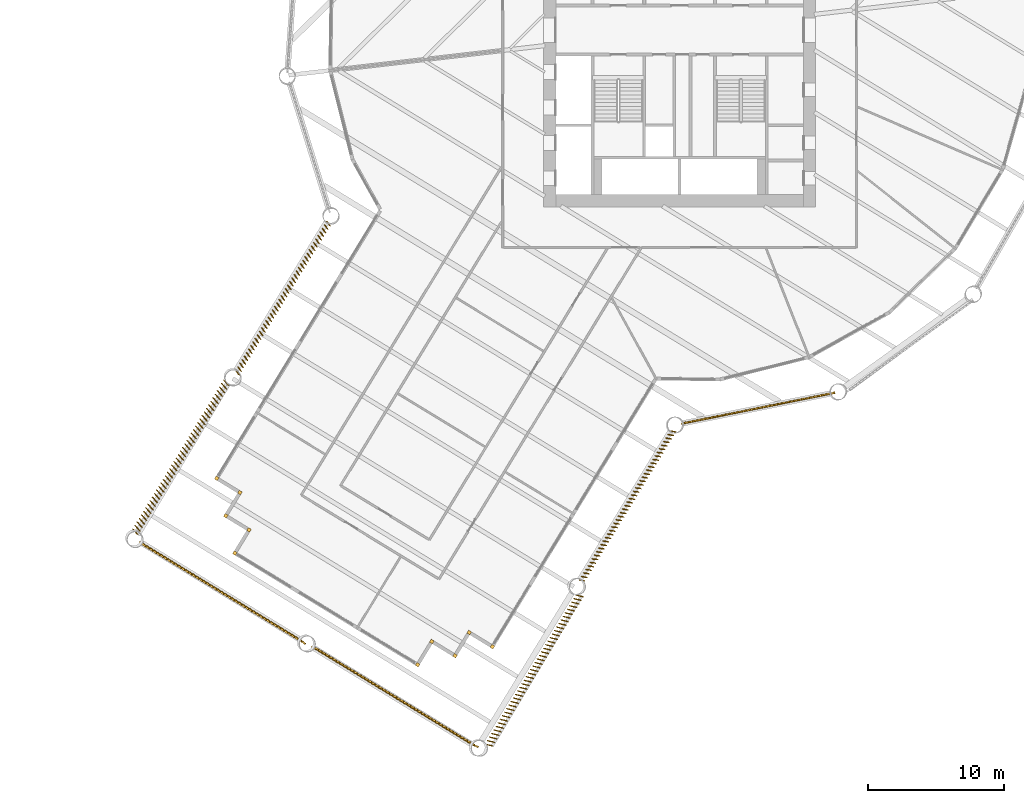
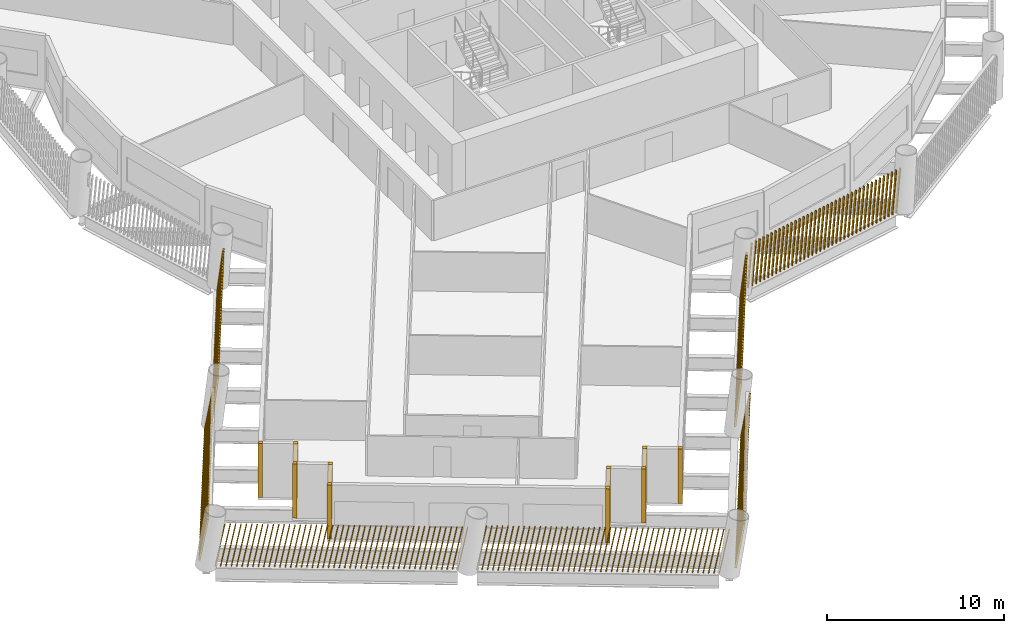
# One storey, part 11 of 15: 17 shading devices.
"""IFC4 building model written with IfcOpenShell, lengths in metres."""

import ifcopenshell
import ifcopenshell.guid

model = None  # the IFC model being written
_history = None  # IfcOwnerHistory: only IFC2X3 demands one
_inside = {}  # id of a spatial element -> (the spatial element, [elements in it])
_under = {}  # id of a project, library or spatial element -> (it, [spatial elements below it])
_declared = {}  # id of a project -> (the project, [libraries it declares])
_typed = {}  # id of a type object -> (the type object, [elements of that type])
_made_of = {}  # id of a material, layer set ... -> (it, [elements and type objects made of it])


def new_model(schema):
    """Start an empty IFC model of exactly this schema.

    Asked for "IFC4X3", IfcOpenShell would pick the latest addendum, in which some entities
    have other attributes; the version numbers below select the first issue.
    IFC2X3 requires an IfcOwnerHistory on every rooted entity: one is made here for all.
    """
    global model, _history
    if schema == "IFC4X3":
        model = ifcopenshell.file(schema_version=(4, 3, 0, 0))
    else:
        model = ifcopenshell.file(schema=schema)
    _inside.clear()
    _under.clear()
    _declared.clear()
    _typed.clear()
    _made_of.clear()
    _history = None
    if model.schema == "IFC2X3":
        org = make("IfcOrganization", Name="unknown")
        user = make(
            "IfcPersonAndOrganization",
            ThePerson=make("IfcPerson", FamilyName="unknown"),
            TheOrganization=org,
        )
        app = make(
            "IfcApplication",
            ApplicationDeveloper=org,
            Version="unknown",
            ApplicationFullName="unknown",
            ApplicationIdentifier="unknown",
        )
        _history = make(
            "IfcOwnerHistory",
            OwningUser=user,
            OwningApplication=app,
            ChangeAction="ADDED",
            CreationDate=0,
        )
    return model


def make(cls, **values):
    """One entity of the class cls with the attributes given. An attribute that is None is left unset."""
    return model.create_entity(
        cls, **{name: value for name, value in values.items() if value is not None}
    )


def rooted(cls, **values):
    """An entity with a GlobalId (a new one), such as an element, a storey or a relation."""
    return make(cls, GlobalId=ifcopenshell.guid.new(), OwnerHistory=_history, **values)


def si_unit(unit_type, name, prefix=None):
    """IfcSIUnit, for example si_unit("LENGTHUNIT", "METRE", prefix="MILLI")."""
    return make("IfcSIUnit", UnitType=unit_type, Prefix=prefix, Name=name)


def assignment(units):
    """IfcUnitAssignment: the units of a project."""
    return None if units is None else make("IfcUnitAssignment", Units=units)


def point(xyz):
    """IfcCartesianPoint."""
    return None if xyz is None else make("IfcCartesianPoint", Coordinates=xyz)


def direction(xyz):
    """IfcDirection."""
    return None if xyz is None else make("IfcDirection", DirectionRatios=xyz)


def frame(location, z_axis=None, x_axis=None):
    """IfcAxis2Placement3D, a coordinate frame: its origin and axes. An axis left out is left unset."""
    return make(
        "IfcAxis2Placement3D",
        Location=point(location),
        Axis=direction(z_axis),
        RefDirection=direction(x_axis),
    )


def frame_2d(location, x_axis=None):
    """IfcAxis2Placement2D, a coordinate frame in the plane: its origin and x axis."""
    return make(
        "IfcAxis2Placement2D", Location=point(location), RefDirection=direction(x_axis)
    )


def origin():
    """The frame at (0, 0, 0) with its axes left unset."""
    return frame((0.0, 0.0, 0.0))


def origin_2d():
    """The frame at (0, 0) in the plane with its x axis left unset."""
    return frame_2d((0.0, 0.0))


def place(relative_to, where):
    """IfcLocalPlacement: puts the frame where relative to a parent placement (None: the world)."""
    return make(
        "IfcLocalPlacement", PlacementRelTo=relative_to, RelativePlacement=where
    )


def context(
    kind, dimensions, precision=None, world=None, true_north=None, identifier=None
):
    """IfcGeometricRepresentationContext, for example the 3D "Model" context."""
    return make(
        "IfcGeometricRepresentationContext",
        ContextIdentifier=identifier,
        ContextType=kind,
        CoordinateSpaceDimension=dimensions,
        Precision=precision,
        WorldCoordinateSystem=world,
        TrueNorth=true_north,
    )


def subcontext(parent, identifier, kind, view, scale=None):
    """IfcGeometricRepresentationSubContext, for example "Body" below "Model"."""
    return make(
        "IfcGeometricRepresentationSubContext",
        ContextIdentifier=identifier,
        ContextType=kind,
        ParentContext=parent,
        TargetScale=scale,
        TargetView=view,
    )


def project(units=None, contexts=None):
    """IfcProject with its units and contexts."""
    return rooted(
        "IfcProject",
        Name="project",
        RepresentationContexts=contexts,
        UnitsInContext=assignment(units),
    )


def spatial(cls, under=None, at=None, **own):
    """A site, building, storey or space (cls), placed at a placement, below another one or the project."""
    s = rooted(cls, ObjectPlacement=at, **own)
    if under is not None:
        _under.setdefault(under.id(), (under, []))[1].append(s)
    return s


def profile(cls, at=None, kind="AREA", **sizes):
    """A parametric profile (cls). Its sizes go by their IFC names, for example OverallWidth=200.0."""
    return make(cls, ProfileType=kind, Position=at, **sizes)


def rectangle(**sizes):
    """IfcRectangleProfileDef."""
    return profile("IfcRectangleProfileDef", **sizes)


def composite_profile(profiles, kind="AREA"):
    """IfcCompositeProfileDef: several profiles as one."""
    return make("IfcCompositeProfileDef", ProfileType=kind, Profiles=profiles)


def extrude(swept, where, along, depth):
    """IfcExtrudedAreaSolid: the profile swept, set in the frame where, extruded along a direction by depth."""
    return make(
        "IfcExtrudedAreaSolid",
        SweptArea=swept,
        Position=where,
        ExtrudedDirection=direction(along),
        Depth=depth,
    )


def shape(context_of_items, identifier, shape_type, items):
    """IfcShapeRepresentation: the items that make up one representation, for example the "Body"."""
    return make(
        "IfcShapeRepresentation",
        ContextOfItems=context_of_items,
        RepresentationIdentifier=identifier,
        RepresentationType=shape_type,
        Items=items,
    )


def material(Name=None, Category=None):
    """IfcMaterial."""
    return make("IfcMaterial", Name=Name, Category=Category)


def made_of(thing, what):
    """Note that an element or type object is made of a material, layer set ...; save() writes the relation."""
    if what is not None:
        _made_of.setdefault(what.id(), (what, []))[1].append(thing)
    return thing


def type_object(cls, material=None, **own):
    """A type object (cls), such as IfcWallType, which elements share."""
    return made_of(rooted(cls, **own), material)


def element(
    cls,
    number,
    at=None,
    inside=None,
    cuts=None,
    type_object=None,
    material=None,
    context=None,
    identifier="Body",
    shape_type=None,
    held_by="IfcProductDefinitionShape",
    body=None,
    shapes=None,
    **own,
):
    """One element of the class cls, such as IfcWall. Its Tag is "e" and its number.

    at: its placement. inside: the storey or other place that contains it. cuts: it is an
    opening in that element (IfcRelVoidsElement). A single representation is given by context,
    identifier, shape_type and body (its items); several are given by shapes. held_by: the class
    of the entity that holds the representations. save() writes the other relations.
    """
    e = rooted(cls, Tag="e%d" % number, ObjectPlacement=at, **own)
    if body is not None:
        shapes = [shape(context, identifier, shape_type, body)]
    if shapes is not None:
        e.Representation = make(held_by, Representations=shapes)
    if inside is not None:
        _inside.setdefault(inside.id(), (inside, []))[1].append(e)
    if cuts is not None:
        rooted(
            "IfcRelVoidsElement", RelatingBuildingElement=cuts, RelatedOpeningElement=e
        )
    if type_object is not None:
        _typed.setdefault(type_object.id(), (type_object, []))[1].append(e)
    return made_of(e, material)


def aggregate(whole, parts):
    """IfcRelAggregates: a whole, such as a stair, and the parts it consists of."""
    return rooted("IfcRelAggregates", RelatingObject=whole, RelatedObjects=parts)


def save(model, path):
    """Write the relations noted so far, then the file.

    IfcRelAggregates (storeys below a building ...), IfcRelContainedInSpatialStructure (elements
    in a storey), IfcRelDefinesByType, IfcRelAssociatesMaterial and IfcRelDeclares: one each for
    every whole, place, type object, material and project.
    """
    for whole, parts in _under.values():
        aggregate(whole, parts)
    for where, things in _inside.values():
        rooted(
            "IfcRelContainedInSpatialStructure",
            RelatedElements=things,
            RelatingStructure=where,
        )
    for kind, things in _typed.values():
        rooted("IfcRelDefinesByType", RelatedObjects=things, RelatingType=kind)
    for what, things in _made_of.values():
        rooted("IfcRelAssociatesMaterial", RelatedObjects=things, RelatingMaterial=what)
    for by, libraries in _declared.values():
        rooted("IfcRelDeclares", RelatingContext=by, RelatedDefinitions=libraries)
    model.write(path)


model = new_model("IFC4")

# Units and contexts
model_context = context("Model", 3, precision=1e-05, world=origin(), true_north=direction((0.0, 1.0)))
body_context = subcontext(model_context, "Body", "Model", "MODEL_VIEW")
ifc_project = project(units=[si_unit("LENGTHUNIT", "METRE"), si_unit("AREAUNIT", "SQUARE_METRE"), si_unit("VOLUMEUNIT", "CUBIC_METRE"), si_unit("PLANEANGLEUNIT", "RADIAN"), si_unit("MASSUNIT", "GRAM", prefix="KILO")], contexts=[model_context])

# Site, building, storey
site_placement = place(None, origin())
site = spatial("IfcSite", under=ifc_project, at=site_placement, CompositionType="ELEMENT")
building_placement = place(site_placement, origin())
building = spatial("IfcBuilding", under=site, at=building_placement, Name="Tarsis Ring Headquarters", CompositionType="ELEMENT")
storey_placement = place(building_placement, frame((0.0, 0.0, 75.10009765625)))
storey = spatial("IfcBuildingStorey", under=building, at=storey_placement, Name="L16", CompositionType="ELEMENT", Elevation=75.10009765625)

# Shading devices
ifc_material = material(Name="Terracotta baguette", Category="masonry")
shading_device_type_1 = type_object("IfcShadingDeviceType", Name="Terracotta baguette screen", PredefinedType="USERDEFINED", material=ifc_material)
shading_device_1_placement = place(storey_placement, frame((-25.916015625, -14.05078125, 0.0), z_axis=(0.0, 0.0, 1.0), x_axis=(-0.521013491778, -0.853558385528, 0.0)))
element("IfcShadingDevice", 1, at=shading_device_1_placement, inside=storey, type_object=shading_device_type_1, Name="Baguette screen L16-01", ObjectType="Terracotta baguette screen", PredefinedType="USERDEFINED", context=body_context, shape_type="SweptSolid", body=[
    extrude(composite_profile([rectangle(XDim=0.06005859375, YDim=0.1201171875, at=frame_2d((0.030029296875, 0.0))), rectangle(XDim=0.06005859375, YDim=0.1201171875, at=frame_2d((0.335693359375, 0.0))), rectangle(XDim=0.06005859375, YDim=0.1201171875, at=frame_2d((0.6416015625, 0.0))), rectangle(XDim=0.06005859375, YDim=0.1201171875, at=frame_2d((0.947265625, 0.0))), rectangle(XDim=0.06005859375, YDim=0.1201171875, at=frame_2d((1.253173828125, 0.0))), rectangle(XDim=0.06005859375, YDim=0.1201171875, at=frame_2d((1.558837890625, 0.0))), rectangle(XDim=0.06005859375, YDim=0.1201171875, at=frame_2d((1.864501953125, 0.0))), rectangle(XDim=0.06005859375, YDim=0.1201171875, at=frame_2d((2.17041015625, 0.0))), rectangle(XDim=0.06005859375, YDim=0.1201171875, at=frame_2d((2.47607421875, 0.0))), rectangle(XDim=0.06005859375, YDim=0.1201171875, at=frame_2d((2.781982421875, 0.0))), rectangle(XDim=0.06005859375, YDim=0.1201171875, at=frame_2d((3.087646484375, 0.0))), rectangle(XDim=0.06005859375, YDim=0.1201171875, at=frame_2d((3.393310546875, 0.0))), rectangle(XDim=0.06005859375, YDim=0.1201171875, at=frame_2d((3.69921875, 0.0))), rectangle(XDim=0.06005859375, YDim=0.1201171875, at=frame_2d((4.0048828125, 0.0))), rectangle(XDim=0.06005859375, YDim=0.1201171875, at=frame_2d((4.310791015625, 0.0))), rectangle(XDim=0.06005859375, YDim=0.1201171875, at=frame_2d((4.616455078125, 0.0))), rectangle(XDim=0.06005859375, YDim=0.1201171875, at=frame_2d((4.922119140625, 0.0))), rectangle(XDim=0.06005859375, YDim=0.1201171875, at=frame_2d((5.22802734375, 0.0))), rectangle(XDim=0.06005859375, YDim=0.1201171875, at=frame_2d((5.53369140625, 0.0))), rectangle(XDim=0.06005859375, YDim=0.1201171875, at=frame_2d((5.839599609375, 0.0))), rectangle(XDim=0.06005859375, YDim=0.1201171875, at=frame_2d((6.145263671875, 0.0))), rectangle(XDim=0.06005859375, YDim=0.1201171875, at=frame_2d((6.451171875, 0.0))), rectangle(XDim=0.06005859375, YDim=0.1201171875, at=frame_2d((6.7568359375, 0.0))), rectangle(XDim=0.06005859375, YDim=0.1201171875, at=frame_2d((7.0625, 0.0))), rectangle(XDim=0.06005859375, YDim=0.1201171875, at=frame_2d((7.368408203125, 0.0))), rectangle(XDim=0.06005859375, YDim=0.1201171875, at=frame_2d((7.674072265625, 0.0))), rectangle(XDim=0.06005859375, YDim=0.1201171875, at=frame_2d((7.97998046875, 0.0))), rectangle(XDim=0.06005859375, YDim=0.1201171875, at=frame_2d((8.28564453125, 0.0))), rectangle(XDim=0.06005859375, YDim=0.1201171875, at=frame_2d((8.59130859375, 0.0))), rectangle(XDim=0.06005859375, YDim=0.1201171875, at=frame_2d((8.897216796875, 0.0))), rectangle(XDim=0.06005859375, YDim=0.1201171875, at=frame_2d((9.202880859375, 0.0))), rectangle(XDim=0.06005859375, YDim=0.1201171875, at=frame_2d((9.5087890625, 0.0))), rectangle(XDim=0.06005859375, YDim=0.1201171875, at=frame_2d((9.814453125, 0.0))), rectangle(XDim=0.06005859375, YDim=0.1201171875, at=frame_2d((10.1201171875, 0.0))), rectangle(XDim=0.06005859375, YDim=0.1201171875, at=frame_2d((10.426025390625, 0.0))), rectangle(XDim=0.06005859375, YDim=0.1201171875, at=frame_2d((10.731689453125, 0.0))), rectangle(XDim=0.06005859375, YDim=0.1201171875, at=frame_2d((11.03759765625, 0.0))), rectangle(XDim=0.06005859375, YDim=0.1201171875, at=frame_2d((11.34326171875, 0.0))), rectangle(XDim=0.06005859375, YDim=0.1201171875, at=frame_2d((11.64892578125, 0.0))), rectangle(XDim=0.06005859375, YDim=0.1201171875, at=frame_2d((11.954833984375, 0.0))), rectangle(XDim=0.06005859375, YDim=0.1201171875, at=frame_2d((12.260498046875, 0.0))), rectangle(XDim=0.06005859375, YDim=0.1201171875, at=frame_2d((12.56640625, 0.0))), rectangle(XDim=0.06005859375, YDim=0.1201171875, at=frame_2d((12.8720703125, 0.0)))]), origin(), (0.051500983641, 0.112711426066, 0.992292186364), 2.975341796875),
])
shading_device_2_placement = place(storey_placement, frame((-33.479248046875, -25.7216796875, 0.0), z_axis=(0.0, 0.0, 1.0), x_axis=(-0.521013491778, -0.853558385528, 0.0)))
element("IfcShadingDevice", 2, at=shading_device_2_placement, inside=storey, type_object=shading_device_type_1, Name="Baguette screen L16-02", ObjectType="Terracotta baguette screen", PredefinedType="USERDEFINED", context=body_context, shape_type="SweptSolid", body=[
    extrude(composite_profile([rectangle(XDim=0.06005859375, YDim=0.1201171875, at=frame_2d((0.030029296875, 0.0))), rectangle(XDim=0.06005859375, YDim=0.1201171875, at=frame_2d((0.335693359375, 0.0))), rectangle(XDim=0.06005859375, YDim=0.1201171875, at=frame_2d((0.6416015625, 0.0))), rectangle(XDim=0.06005859375, YDim=0.1201171875, at=frame_2d((0.947265625, 0.0))), rectangle(XDim=0.06005859375, YDim=0.1201171875, at=frame_2d((1.253173828125, 0.0))), rectangle(XDim=0.06005859375, YDim=0.1201171875, at=frame_2d((1.558837890625, 0.0))), rectangle(XDim=0.06005859375, YDim=0.1201171875, at=frame_2d((1.864501953125, 0.0))), rectangle(XDim=0.06005859375, YDim=0.1201171875, at=frame_2d((2.17041015625, 0.0))), rectangle(XDim=0.06005859375, YDim=0.1201171875, at=frame_2d((2.47607421875, 0.0))), rectangle(XDim=0.06005859375, YDim=0.1201171875, at=frame_2d((2.781982421875, 0.0))), rectangle(XDim=0.06005859375, YDim=0.1201171875, at=frame_2d((3.087646484375, 0.0))), rectangle(XDim=0.06005859375, YDim=0.1201171875, at=frame_2d((3.393310546875, 0.0))), rectangle(XDim=0.06005859375, YDim=0.1201171875, at=frame_2d((3.69921875, 0.0))), rectangle(XDim=0.06005859375, YDim=0.1201171875, at=frame_2d((4.0048828125, 0.0))), rectangle(XDim=0.06005859375, YDim=0.1201171875, at=frame_2d((4.310791015625, 0.0))), rectangle(XDim=0.06005859375, YDim=0.1201171875, at=frame_2d((4.616455078125, 0.0))), rectangle(XDim=0.06005859375, YDim=0.1201171875, at=frame_2d((4.922119140625, 0.0))), rectangle(XDim=0.06005859375, YDim=0.1201171875, at=frame_2d((5.22802734375, 0.0))), rectangle(XDim=0.06005859375, YDim=0.1201171875, at=frame_2d((5.53369140625, 0.0))), rectangle(XDim=0.06005859375, YDim=0.1201171875, at=frame_2d((5.839599609375, 0.0))), rectangle(XDim=0.06005859375, YDim=0.1201171875, at=frame_2d((6.145263671875, 0.0))), rectangle(XDim=0.06005859375, YDim=0.1201171875, at=frame_2d((6.451171875, 0.0))), rectangle(XDim=0.06005859375, YDim=0.1201171875, at=frame_2d((6.7568359375, 0.0))), rectangle(XDim=0.06005859375, YDim=0.1201171875, at=frame_2d((7.0625, 0.0))), rectangle(XDim=0.06005859375, YDim=0.1201171875, at=frame_2d((7.368408203125, 0.0))), rectangle(XDim=0.06005859375, YDim=0.1201171875, at=frame_2d((7.674072265625, 0.0))), rectangle(XDim=0.06005859375, YDim=0.1201171875, at=frame_2d((7.97998046875, 0.0))), rectangle(XDim=0.06005859375, YDim=0.1201171875, at=frame_2d((8.28564453125, 0.0))), rectangle(XDim=0.06005859375, YDim=0.1201171875, at=frame_2d((8.59130859375, 0.0))), rectangle(XDim=0.06005859375, YDim=0.1201171875, at=frame_2d((8.897216796875, 0.0))), rectangle(XDim=0.06005859375, YDim=0.1201171875, at=frame_2d((9.202880859375, 0.0))), rectangle(XDim=0.06005859375, YDim=0.1201171875, at=frame_2d((9.5087890625, 0.0))), rectangle(XDim=0.06005859375, YDim=0.1201171875, at=frame_2d((9.814453125, 0.0))), rectangle(XDim=0.06005859375, YDim=0.1201171875, at=frame_2d((10.1201171875, 0.0))), rectangle(XDim=0.06005859375, YDim=0.1201171875, at=frame_2d((10.426025390625, 0.0))), rectangle(XDim=0.06005859375, YDim=0.1201171875, at=frame_2d((10.731689453125, 0.0))), rectangle(XDim=0.06005859375, YDim=0.1201171875, at=frame_2d((11.03759765625, 0.0))), rectangle(XDim=0.06005859375, YDim=0.1201171875, at=frame_2d((11.34326171875, 0.0))), rectangle(XDim=0.06005859375, YDim=0.1201171875, at=frame_2d((11.64892578125, 0.0))), rectangle(XDim=0.06005859375, YDim=0.1201171875, at=frame_2d((11.954833984375, 0.0))), rectangle(XDim=0.06005859375, YDim=0.1201171875, at=frame_2d((12.260498046875, 0.0))), rectangle(XDim=0.06005859375, YDim=0.1201171875, at=frame_2d((12.56640625, 0.0))), rectangle(XDim=0.06005859375, YDim=0.1201171875, at=frame_2d((12.8720703125, 0.0)))]), origin(), (0.052212534508, 0.160564909307, 0.98564332349), 2.995361328125),
])
shading_device_3_placement = place(storey_placement, frame((-39.715087890625, -37.616943359375, 0.0), z_axis=(0.0, 0.0, 1.0), x_axis=(0.853551525874, -0.521008403361, 0.0)))
element("IfcShadingDevice", 3, at=shading_device_3_placement, inside=storey, type_object=shading_device_type_1, Name="Baguette screen L16-03", ObjectType="Terracotta baguette screen", PredefinedType="USERDEFINED", context=body_context, shape_type="SweptSolid", body=[
    extrude(composite_profile([rectangle(XDim=0.06005859375, YDim=0.1201171875, at=frame_2d((0.030029296875, 0.0))), rectangle(XDim=0.06005859375, YDim=0.1201171875, at=frame_2d((0.33544921875, 0.0))), rectangle(XDim=0.06005859375, YDim=0.1201171875, at=frame_2d((0.640625, 0.0))), rectangle(XDim=0.06005859375, YDim=0.1201171875, at=frame_2d((0.946044921875, 0.0))), rectangle(XDim=0.06005859375, YDim=0.1201171875, at=frame_2d((1.25146484375, 0.0))), rectangle(XDim=0.06005859375, YDim=0.1201171875, at=frame_2d((1.556640625, 0.0))), rectangle(XDim=0.06005859375, YDim=0.1201171875, at=frame_2d((1.862060546875, 0.0))), rectangle(XDim=0.06005859375, YDim=0.1201171875, at=frame_2d((2.16748046875, 0.0))), rectangle(XDim=0.06005859375, YDim=0.1201171875, at=frame_2d((2.47265625, 0.0))), rectangle(XDim=0.06005859375, YDim=0.1201171875, at=frame_2d((2.778076171875, 0.0))), rectangle(XDim=0.06005859375, YDim=0.1201171875, at=frame_2d((3.08349609375, 0.0))), rectangle(XDim=0.06005859375, YDim=0.1201171875, at=frame_2d((3.388671875, 0.0))), rectangle(XDim=0.06005859375, YDim=0.1201171875, at=frame_2d((3.694091796875, 0.0))), rectangle(XDim=0.06005859375, YDim=0.1201171875, at=frame_2d((3.99951171875, 0.0))), rectangle(XDim=0.06005859375, YDim=0.1201171875, at=frame_2d((4.3046875, 0.0))), rectangle(XDim=0.06005859375, YDim=0.1201171875, at=frame_2d((4.610107421875, 0.0))), rectangle(XDim=0.06005859375, YDim=0.1201171875, at=frame_2d((4.91552734375, 0.0))), rectangle(XDim=0.06005859375, YDim=0.1201171875, at=frame_2d((5.220703125, 0.0))), rectangle(XDim=0.06005859375, YDim=0.1201171875, at=frame_2d((5.526123046875, 0.0))), rectangle(XDim=0.06005859375, YDim=0.1201171875, at=frame_2d((5.83154296875, 0.0))), rectangle(XDim=0.06005859375, YDim=0.1201171875, at=frame_2d((6.13671875, 0.0))), rectangle(XDim=0.06005859375, YDim=0.1201171875, at=frame_2d((6.442138671875, 0.0))), rectangle(XDim=0.06005859375, YDim=0.1201171875, at=frame_2d((6.74755859375, 0.0))), rectangle(XDim=0.06005859375, YDim=0.1201171875, at=frame_2d((7.052734375, 0.0))), rectangle(XDim=0.06005859375, YDim=0.1201171875, at=frame_2d((7.358154296875, 0.0))), rectangle(XDim=0.06005859375, YDim=0.1201171875, at=frame_2d((7.66357421875, 0.0))), rectangle(XDim=0.06005859375, YDim=0.1201171875, at=frame_2d((7.96875, 0.0))), rectangle(XDim=0.06005859375, YDim=0.1201171875, at=frame_2d((8.274169921875, 0.0))), rectangle(XDim=0.06005859375, YDim=0.1201171875, at=frame_2d((8.57958984375, 0.0))), rectangle(XDim=0.06005859375, YDim=0.1201171875, at=frame_2d((8.884765625, 0.0))), rectangle(XDim=0.06005859375, YDim=0.1201171875, at=frame_2d((9.190185546875, 0.0))), rectangle(XDim=0.06005859375, YDim=0.1201171875, at=frame_2d((9.49560546875, 0.0))), rectangle(XDim=0.06005859375, YDim=0.1201171875, at=frame_2d((9.80078125, 0.0))), rectangle(XDim=0.06005859375, YDim=0.1201171875, at=frame_2d((10.106201171875, 0.0))), rectangle(XDim=0.06005859375, YDim=0.1201171875, at=frame_2d((10.41162109375, 0.0))), rectangle(XDim=0.06005859375, YDim=0.1201171875, at=frame_2d((10.716796875, 0.0))), rectangle(XDim=0.06005859375, YDim=0.1201171875, at=frame_2d((11.022216796875, 0.0))), rectangle(XDim=0.06005859375, YDim=0.1201171875, at=frame_2d((11.32763671875, 0.0))), rectangle(XDim=0.06005859375, YDim=0.1201171875, at=frame_2d((11.6328125, 0.0))), rectangle(XDim=0.06005859375, YDim=0.1201171875, at=frame_2d((11.938232421875, 0.0))), rectangle(XDim=0.06005859375, YDim=0.1201171875, at=frame_2d((12.24365234375, 0.0))), rectangle(XDim=0.06005859375, YDim=0.1201171875, at=frame_2d((12.548828125, 0.0))), rectangle(XDim=0.06005859375, YDim=0.1201171875, at=frame_2d((12.854248046875, 0.0))), rectangle(XDim=0.06005859375, YDim=0.1201171875, at=frame_2d((13.15966796875, 0.0))), rectangle(XDim=0.06005859375, YDim=0.1201171875, at=frame_2d((13.46484375, 0.0))), rectangle(XDim=0.06005859375, YDim=0.1201171875, at=frame_2d((13.770263671875, 0.0)))]), origin(), (0.184148776752, -0.024826420946, 0.982584793717), 3.004638671875),
])
shading_device_4_placement = place(storey_placement, frame((-27.08251953125, -45.327880859375, 0.0), z_axis=(0.0, 0.0, 1.0), x_axis=(0.853551525874, -0.521008403361, 0.0)))
element("IfcShadingDevice", 4, at=shading_device_4_placement, inside=storey, type_object=shading_device_type_1, Name="Baguette screen L16-04", ObjectType="Terracotta baguette screen", PredefinedType="USERDEFINED", context=body_context, shape_type="SweptSolid", body=[
    extrude(composite_profile([rectangle(XDim=0.06005859375, YDim=0.1201171875, at=frame_2d((0.030029296875, 0.0))), rectangle(XDim=0.06005859375, YDim=0.1201171875, at=frame_2d((0.33544921875, 0.0))), rectangle(XDim=0.06005859375, YDim=0.1201171875, at=frame_2d((0.640625, 0.0))), rectangle(XDim=0.06005859375, YDim=0.1201171875, at=frame_2d((0.946044921875, 0.0))), rectangle(XDim=0.06005859375, YDim=0.1201171875, at=frame_2d((1.25146484375, 0.0))), rectangle(XDim=0.06005859375, YDim=0.1201171875, at=frame_2d((1.556640625, 0.0))), rectangle(XDim=0.06005859375, YDim=0.1201171875, at=frame_2d((1.862060546875, 0.0))), rectangle(XDim=0.06005859375, YDim=0.1201171875, at=frame_2d((2.16748046875, 0.0))), rectangle(XDim=0.06005859375, YDim=0.1201171875, at=frame_2d((2.47265625, 0.0))), rectangle(XDim=0.06005859375, YDim=0.1201171875, at=frame_2d((2.778076171875, 0.0))), rectangle(XDim=0.06005859375, YDim=0.1201171875, at=frame_2d((3.08349609375, 0.0))), rectangle(XDim=0.06005859375, YDim=0.1201171875, at=frame_2d((3.388671875, 0.0))), rectangle(XDim=0.06005859375, YDim=0.1201171875, at=frame_2d((3.694091796875, 0.0))), rectangle(XDim=0.06005859375, YDim=0.1201171875, at=frame_2d((3.99951171875, 0.0))), rectangle(XDim=0.06005859375, YDim=0.1201171875, at=frame_2d((4.3046875, 0.0))), rectangle(XDim=0.06005859375, YDim=0.1201171875, at=frame_2d((4.610107421875, 0.0))), rectangle(XDim=0.06005859375, YDim=0.1201171875, at=frame_2d((4.91552734375, 0.0))), rectangle(XDim=0.06005859375, YDim=0.1201171875, at=frame_2d((5.220703125, 0.0))), rectangle(XDim=0.06005859375, YDim=0.1201171875, at=frame_2d((5.526123046875, 0.0))), rectangle(XDim=0.06005859375, YDim=0.1201171875, at=frame_2d((5.83154296875, 0.0))), rectangle(XDim=0.06005859375, YDim=0.1201171875, at=frame_2d((6.13671875, 0.0))), rectangle(XDim=0.06005859375, YDim=0.1201171875, at=frame_2d((6.442138671875, 0.0))), rectangle(XDim=0.06005859375, YDim=0.1201171875, at=frame_2d((6.74755859375, 0.0))), rectangle(XDim=0.06005859375, YDim=0.1201171875, at=frame_2d((7.052734375, 0.0))), rectangle(XDim=0.06005859375, YDim=0.1201171875, at=frame_2d((7.358154296875, 0.0))), rectangle(XDim=0.06005859375, YDim=0.1201171875, at=frame_2d((7.66357421875, 0.0))), rectangle(XDim=0.06005859375, YDim=0.1201171875, at=frame_2d((7.96875, 0.0))), rectangle(XDim=0.06005859375, YDim=0.1201171875, at=frame_2d((8.274169921875, 0.0))), rectangle(XDim=0.06005859375, YDim=0.1201171875, at=frame_2d((8.57958984375, 0.0))), rectangle(XDim=0.06005859375, YDim=0.1201171875, at=frame_2d((8.884765625, 0.0))), rectangle(XDim=0.06005859375, YDim=0.1201171875, at=frame_2d((9.190185546875, 0.0))), rectangle(XDim=0.06005859375, YDim=0.1201171875, at=frame_2d((9.49560546875, 0.0))), rectangle(XDim=0.06005859375, YDim=0.1201171875, at=frame_2d((9.80078125, 0.0))), rectangle(XDim=0.06005859375, YDim=0.1201171875, at=frame_2d((10.106201171875, 0.0))), rectangle(XDim=0.06005859375, YDim=0.1201171875, at=frame_2d((10.41162109375, 0.0))), rectangle(XDim=0.06005859375, YDim=0.1201171875, at=frame_2d((10.716796875, 0.0))), rectangle(XDim=0.06005859375, YDim=0.1201171875, at=frame_2d((11.022216796875, 0.0))), rectangle(XDim=0.06005859375, YDim=0.1201171875, at=frame_2d((11.32763671875, 0.0))), rectangle(XDim=0.06005859375, YDim=0.1201171875, at=frame_2d((11.6328125, 0.0))), rectangle(XDim=0.06005859375, YDim=0.1201171875, at=frame_2d((11.938232421875, 0.0))), rectangle(XDim=0.06005859375, YDim=0.1201171875, at=frame_2d((12.24365234375, 0.0))), rectangle(XDim=0.06005859375, YDim=0.1201171875, at=frame_2d((12.548828125, 0.0))), rectangle(XDim=0.06005859375, YDim=0.1201171875, at=frame_2d((12.854248046875, 0.0))), rectangle(XDim=0.06005859375, YDim=0.1201171875, at=frame_2d((13.15966796875, 0.0))), rectangle(XDim=0.06005859375, YDim=0.1201171875, at=frame_2d((13.46484375, 0.0))), rectangle(XDim=0.06005859375, YDim=0.1201171875, at=frame_2d((13.770263671875, 0.0)))]), origin(), (0.183879059474, 0.026752949129, 0.982584739959), 3.004638671875),
])
shading_device_5_placement = place(storey_placement, frame((-14.296142578125, -52.547119140625, 0.0), z_axis=(0.0, 0.0, 1.0), x_axis=(0.521013491778, 0.853558385528, 0.0)))
element("IfcShadingDevice", 5, at=shading_device_5_placement, inside=storey, type_object=shading_device_type_1, Name="Baguette screen L16-05", ObjectType="Terracotta baguette screen", PredefinedType="USERDEFINED", context=body_context, shape_type="SweptSolid", body=[
    extrude(composite_profile([rectangle(XDim=0.06005859375, YDim=0.1201171875, at=frame_2d((0.030029296875, 0.0))), rectangle(XDim=0.06005859375, YDim=0.1201171875, at=frame_2d((0.335693359375, 0.0))), rectangle(XDim=0.06005859375, YDim=0.1201171875, at=frame_2d((0.6416015625, 0.0))), rectangle(XDim=0.06005859375, YDim=0.1201171875, at=frame_2d((0.947265625, 0.0))), rectangle(XDim=0.06005859375, YDim=0.1201171875, at=frame_2d((1.253173828125, 0.0))), rectangle(XDim=0.06005859375, YDim=0.1201171875, at=frame_2d((1.558837890625, 0.0))), rectangle(XDim=0.06005859375, YDim=0.1201171875, at=frame_2d((1.864501953125, 0.0))), rectangle(XDim=0.06005859375, YDim=0.1201171875, at=frame_2d((2.17041015625, 0.0))), rectangle(XDim=0.06005859375, YDim=0.1201171875, at=frame_2d((2.47607421875, 0.0))), rectangle(XDim=0.06005859375, YDim=0.1201171875, at=frame_2d((2.781982421875, 0.0))), rectangle(XDim=0.06005859375, YDim=0.1201171875, at=frame_2d((3.087646484375, 0.0))), rectangle(XDim=0.06005859375, YDim=0.1201171875, at=frame_2d((3.393310546875, 0.0))), rectangle(XDim=0.06005859375, YDim=0.1201171875, at=frame_2d((3.69921875, 0.0))), rectangle(XDim=0.06005859375, YDim=0.1201171875, at=frame_2d((4.0048828125, 0.0))), rectangle(XDim=0.06005859375, YDim=0.1201171875, at=frame_2d((4.310791015625, 0.0))), rectangle(XDim=0.06005859375, YDim=0.1201171875, at=frame_2d((4.616455078125, 0.0))), rectangle(XDim=0.06005859375, YDim=0.1201171875, at=frame_2d((4.922119140625, 0.0))), rectangle(XDim=0.06005859375, YDim=0.1201171875, at=frame_2d((5.22802734375, 0.0))), rectangle(XDim=0.06005859375, YDim=0.1201171875, at=frame_2d((5.53369140625, 0.0))), rectangle(XDim=0.06005859375, YDim=0.1201171875, at=frame_2d((5.839599609375, 0.0))), rectangle(XDim=0.06005859375, YDim=0.1201171875, at=frame_2d((6.145263671875, 0.0))), rectangle(XDim=0.06005859375, YDim=0.1201171875, at=frame_2d((6.451171875, 0.0))), rectangle(XDim=0.06005859375, YDim=0.1201171875, at=frame_2d((6.7568359375, 0.0))), rectangle(XDim=0.06005859375, YDim=0.1201171875, at=frame_2d((7.0625, 0.0))), rectangle(XDim=0.06005859375, YDim=0.1201171875, at=frame_2d((7.368408203125, 0.0))), rectangle(XDim=0.06005859375, YDim=0.1201171875, at=frame_2d((7.674072265625, 0.0))), rectangle(XDim=0.06005859375, YDim=0.1201171875, at=frame_2d((7.97998046875, 0.0))), rectangle(XDim=0.06005859375, YDim=0.1201171875, at=frame_2d((8.28564453125, 0.0))), rectangle(XDim=0.06005859375, YDim=0.1201171875, at=frame_2d((8.59130859375, 0.0))), rectangle(XDim=0.06005859375, YDim=0.1201171875, at=frame_2d((8.897216796875, 0.0))), rectangle(XDim=0.06005859375, YDim=0.1201171875, at=frame_2d((9.202880859375, 0.0))), rectangle(XDim=0.06005859375, YDim=0.1201171875, at=frame_2d((9.5087890625, 0.0))), rectangle(XDim=0.06005859375, YDim=0.1201171875, at=frame_2d((9.814453125, 0.0))), rectangle(XDim=0.06005859375, YDim=0.1201171875, at=frame_2d((10.1201171875, 0.0))), rectangle(XDim=0.06005859375, YDim=0.1201171875, at=frame_2d((10.426025390625, 0.0))), rectangle(XDim=0.06005859375, YDim=0.1201171875, at=frame_2d((10.731689453125, 0.0))), rectangle(XDim=0.06005859375, YDim=0.1201171875, at=frame_2d((11.03759765625, 0.0))), rectangle(XDim=0.06005859375, YDim=0.1201171875, at=frame_2d((11.34326171875, 0.0))), rectangle(XDim=0.06005859375, YDim=0.1201171875, at=frame_2d((11.64892578125, 0.0))), rectangle(XDim=0.06005859375, YDim=0.1201171875, at=frame_2d((11.954833984375, 0.0))), rectangle(XDim=0.06005859375, YDim=0.1201171875, at=frame_2d((12.260498046875, 0.0))), rectangle(XDim=0.06005859375, YDim=0.1201171875, at=frame_2d((12.56640625, 0.0))), rectangle(XDim=0.06005859375, YDim=0.1201171875, at=frame_2d((12.8720703125, 0.0)))]), origin(), (0.053890877573, -0.16000926465, 0.985643347535), 2.995361328125),
])
shading_device_6_placement = place(storey_placement, frame((-7.373046875, -40.4853515625, 0.0), z_axis=(0.0, 0.0, 1.0), x_axis=(0.521013491778, 0.853558385528, 0.0)))
element("IfcShadingDevice", 6, at=shading_device_6_placement, inside=storey, type_object=shading_device_type_1, Name="Baguette screen L16-06", ObjectType="Terracotta baguette screen", PredefinedType="USERDEFINED", context=body_context, shape_type="SweptSolid", body=[
    extrude(composite_profile([rectangle(XDim=0.06005859375, YDim=0.1201171875, at=frame_2d((0.030029296875, 0.0))), rectangle(XDim=0.06005859375, YDim=0.1201171875, at=frame_2d((0.335693359375, 0.0))), rectangle(XDim=0.06005859375, YDim=0.1201171875, at=frame_2d((0.6416015625, 0.0))), rectangle(XDim=0.06005859375, YDim=0.1201171875, at=frame_2d((0.947265625, 0.0))), rectangle(XDim=0.06005859375, YDim=0.1201171875, at=frame_2d((1.253173828125, 0.0))), rectangle(XDim=0.06005859375, YDim=0.1201171875, at=frame_2d((1.558837890625, 0.0))), rectangle(XDim=0.06005859375, YDim=0.1201171875, at=frame_2d((1.864501953125, 0.0))), rectangle(XDim=0.06005859375, YDim=0.1201171875, at=frame_2d((2.17041015625, 0.0))), rectangle(XDim=0.06005859375, YDim=0.1201171875, at=frame_2d((2.47607421875, 0.0))), rectangle(XDim=0.06005859375, YDim=0.1201171875, at=frame_2d((2.781982421875, 0.0))), rectangle(XDim=0.06005859375, YDim=0.1201171875, at=frame_2d((3.087646484375, 0.0))), rectangle(XDim=0.06005859375, YDim=0.1201171875, at=frame_2d((3.393310546875, 0.0))), rectangle(XDim=0.06005859375, YDim=0.1201171875, at=frame_2d((3.69921875, 0.0))), rectangle(XDim=0.06005859375, YDim=0.1201171875, at=frame_2d((4.0048828125, 0.0))), rectangle(XDim=0.06005859375, YDim=0.1201171875, at=frame_2d((4.310791015625, 0.0))), rectangle(XDim=0.06005859375, YDim=0.1201171875, at=frame_2d((4.616455078125, 0.0))), rectangle(XDim=0.06005859375, YDim=0.1201171875, at=frame_2d((4.922119140625, 0.0))), rectangle(XDim=0.06005859375, YDim=0.1201171875, at=frame_2d((5.22802734375, 0.0))), rectangle(XDim=0.06005859375, YDim=0.1201171875, at=frame_2d((5.53369140625, 0.0))), rectangle(XDim=0.06005859375, YDim=0.1201171875, at=frame_2d((5.839599609375, 0.0))), rectangle(XDim=0.06005859375, YDim=0.1201171875, at=frame_2d((6.145263671875, 0.0))), rectangle(XDim=0.06005859375, YDim=0.1201171875, at=frame_2d((6.451171875, 0.0))), rectangle(XDim=0.06005859375, YDim=0.1201171875, at=frame_2d((6.7568359375, 0.0))), rectangle(XDim=0.06005859375, YDim=0.1201171875, at=frame_2d((7.0625, 0.0))), rectangle(XDim=0.06005859375, YDim=0.1201171875, at=frame_2d((7.368408203125, 0.0))), rectangle(XDim=0.06005859375, YDim=0.1201171875, at=frame_2d((7.674072265625, 0.0))), rectangle(XDim=0.06005859375, YDim=0.1201171875, at=frame_2d((7.97998046875, 0.0))), rectangle(XDim=0.06005859375, YDim=0.1201171875, at=frame_2d((8.28564453125, 0.0))), rectangle(XDim=0.06005859375, YDim=0.1201171875, at=frame_2d((8.59130859375, 0.0))), rectangle(XDim=0.06005859375, YDim=0.1201171875, at=frame_2d((8.897216796875, 0.0))), rectangle(XDim=0.06005859375, YDim=0.1201171875, at=frame_2d((9.202880859375, 0.0))), rectangle(XDim=0.06005859375, YDim=0.1201171875, at=frame_2d((9.5087890625, 0.0))), rectangle(XDim=0.06005859375, YDim=0.1201171875, at=frame_2d((9.814453125, 0.0))), rectangle(XDim=0.06005859375, YDim=0.1201171875, at=frame_2d((10.1201171875, 0.0))), rectangle(XDim=0.06005859375, YDim=0.1201171875, at=frame_2d((10.426025390625, 0.0))), rectangle(XDim=0.06005859375, YDim=0.1201171875, at=frame_2d((10.731689453125, 0.0))), rectangle(XDim=0.06005859375, YDim=0.1201171875, at=frame_2d((11.03759765625, 0.0))), rectangle(XDim=0.06005859375, YDim=0.1201171875, at=frame_2d((11.34326171875, 0.0))), rectangle(XDim=0.06005859375, YDim=0.1201171875, at=frame_2d((11.64892578125, 0.0))), rectangle(XDim=0.06005859375, YDim=0.1201171875, at=frame_2d((11.954833984375, 0.0))), rectangle(XDim=0.06005859375, YDim=0.1201171875, at=frame_2d((12.260498046875, 0.0))), rectangle(XDim=0.06005859375, YDim=0.1201171875, at=frame_2d((12.56640625, 0.0))), rectangle(XDim=0.06005859375, YDim=0.1201171875, at=frame_2d((12.8720703125, 0.0)))]), origin(), (0.052678482665, -0.112165787263, 0.992292201739), 2.975341796875),
])
shading_device_7_placement = place(storey_placement, frame((0.099853515625, -28.947021484375, 0.0), z_axis=(0.0, 0.0, 1.0), x_axis=(0.980271296799, 0.197677699403, 0.0)))
element("IfcShadingDevice", 7, at=shading_device_7_placement, inside=storey, type_object=shading_device_type_1, Name="Baguette screen L16-07", ObjectType="Terracotta baguette screen", PredefinedType="USERDEFINED", context=body_context, shape_type="SweptSolid", body=[
    extrude(composite_profile([rectangle(XDim=0.06005859375, YDim=0.1201171875, at=frame_2d((0.030029296875, 0.0))), rectangle(XDim=0.06005859375, YDim=0.1201171875, at=frame_2d((0.33251953125, 0.0))), rectangle(XDim=0.06005859375, YDim=0.1201171875, at=frame_2d((0.634765625, 0.0))), rectangle(XDim=0.06005859375, YDim=0.1201171875, at=frame_2d((0.937255859375, 0.0))), rectangle(XDim=0.06005859375, YDim=0.1201171875, at=frame_2d((1.239501953125, 0.0))), rectangle(XDim=0.06005859375, YDim=0.1201171875, at=frame_2d((1.5419921875, 0.0))), rectangle(XDim=0.06005859375, YDim=0.1201171875, at=frame_2d((1.844482421875, 0.0))), rectangle(XDim=0.06005859375, YDim=0.1201171875, at=frame_2d((2.146728515625, 0.0))), rectangle(XDim=0.06005859375, YDim=0.1201171875, at=frame_2d((2.44921875, 0.0))), rectangle(XDim=0.06005859375, YDim=0.1201171875, at=frame_2d((2.751708984375, 0.0))), rectangle(XDim=0.06005859375, YDim=0.1201171875, at=frame_2d((3.053955078125, 0.0))), rectangle(XDim=0.06005859375, YDim=0.1201171875, at=frame_2d((3.3564453125, 0.0))), rectangle(XDim=0.06005859375, YDim=0.1201171875, at=frame_2d((3.65869140625, 0.0))), rectangle(XDim=0.06005859375, YDim=0.1201171875, at=frame_2d((3.961181640625, 0.0))), rectangle(XDim=0.06005859375, YDim=0.1201171875, at=frame_2d((4.263671875, 0.0))), rectangle(XDim=0.06005859375, YDim=0.1201171875, at=frame_2d((4.56591796875, 0.0))), rectangle(XDim=0.06005859375, YDim=0.1201171875, at=frame_2d((4.868408203125, 0.0))), rectangle(XDim=0.06005859375, YDim=0.1201171875, at=frame_2d((5.1708984375, 0.0))), rectangle(XDim=0.06005859375, YDim=0.1201171875, at=frame_2d((5.47314453125, 0.0))), rectangle(XDim=0.06005859375, YDim=0.1201171875, at=frame_2d((5.775634765625, 0.0))), rectangle(XDim=0.06005859375, YDim=0.1201171875, at=frame_2d((6.077880859375, 0.0))), rectangle(XDim=0.06005859375, YDim=0.1201171875, at=frame_2d((6.38037109375, 0.0))), rectangle(XDim=0.06005859375, YDim=0.1201171875, at=frame_2d((6.682861328125, 0.0))), rectangle(XDim=0.06005859375, YDim=0.1201171875, at=frame_2d((6.985107421875, 0.0))), rectangle(XDim=0.06005859375, YDim=0.1201171875, at=frame_2d((7.28759765625, 0.0))), rectangle(XDim=0.06005859375, YDim=0.1201171875, at=frame_2d((7.590087890625, 0.0))), rectangle(XDim=0.06005859375, YDim=0.1201171875, at=frame_2d((7.892333984375, 0.0))), rectangle(XDim=0.06005859375, YDim=0.1201171875, at=frame_2d((8.19482421875, 0.0))), rectangle(XDim=0.06005859375, YDim=0.1201171875, at=frame_2d((8.4970703125, 0.0))), rectangle(XDim=0.06005859375, YDim=0.1201171875, at=frame_2d((8.799560546875, 0.0))), rectangle(XDim=0.06005859375, YDim=0.1201171875, at=frame_2d((9.10205078125, 0.0))), rectangle(XDim=0.06005859375, YDim=0.1201171875, at=frame_2d((9.404296875, 0.0))), rectangle(XDim=0.06005859375, YDim=0.1201171875, at=frame_2d((9.706787109375, 0.0))), rectangle(XDim=0.06005859375, YDim=0.1201171875, at=frame_2d((10.00927734375, 0.0))), rectangle(XDim=0.06005859375, YDim=0.1201171875, at=frame_2d((10.3115234375, 0.0))), rectangle(XDim=0.06005859375, YDim=0.1201171875, at=frame_2d((10.614013671875, 0.0))), rectangle(XDim=0.06005859375, YDim=0.1201171875, at=frame_2d((10.916259765625, 0.0))), rectangle(XDim=0.06005859375, YDim=0.1201171875, at=frame_2d((11.21875, 0.0)))]), origin(), (0.100209168148, 0.000524728184, 0.994966254342), 2.96728515625),
])
shading_device_type_2 = type_object("IfcShadingDeviceType", Name="Terracotta corner baguette 250x250", PredefinedType="USERDEFINED", material=ifc_material)
for number, where, z_axis, x_axis, name in (
    (8, (-34.037353515625, -32.9697265625, 0.0), (0.0, 0.0, 1.0), (-0.521009646738, -0.853550788182, 0.0), "Corner baguette L16-07"),
    (9, (-32.330078125, -34.01171875, 0.0), (0.0, 0.0, 1.0), (0.853550906395, -0.521009453073, 0.0), "Corner baguette L16-08"),
    (10, (-33.3720703125, -35.71875, 0.0), (0.0, 0.0, 1.0), (-0.521009661635, -0.853550779089, 0.0), "Corner baguette L16-09"),
    (11, (-31.6650390625, -36.7607421875, 0.0), (0.0, 0.0, 1.0), (0.853550551755, -0.521010034067, 0.0), "Corner baguette L16-10"),
    (12, (-32.70703125, -38.4677734375, 0.0), (0.0, 0.0, 1.0), (-0.521009453073, -0.853550906395, 0.0), "Corner baguette L16-11"),
    (13, (-19.263671875, -46.673828125, 0.0), (0.0, 0.0, 1.0), (0.853550815462, -0.521009602046, 0.0), "Corner baguette L16-12"),
    (14, (-18.2216796875, -44.966796875, 0.0), (0.0, 0.0, 1.0), (0.521010034067, 0.853550551755, 0.0), "Corner baguette L16-13"),
    (15, (-16.514404296875, -46.0087890625, 0.0), (0.0, 0.0, 1.0), (0.853550688155, -0.521009810608, 0.0), "Corner baguette L16-14"),
    (16, (-15.472412109375, -44.301513671875, 0.0), (0.0, 0.0, 1.0), (0.521009453073, 0.853550906395, 0.0), "Corner baguette L16-15"),
    (17, (-13.765380859375, -45.34375, 0.0), (0.0, 0.0, 1.0), (0.853550779089, -0.521009661635, 0.0), "Corner baguette L16-16"),
):
    element("IfcShadingDevice", number, at=place(storey_placement, frame(where, z_axis=z_axis, x_axis=x_axis)), inside=storey, type_object=shading_device_type_2, Name=name, ObjectType="Terracotta corner baguette", PredefinedType="USERDEFINED", context=body_context, shape_type="SweptSolid", body=[
        extrude(rectangle(XDim=0.25, YDim=0.25, at=origin_2d()), origin(), (0.0, 0.0, 1.0), 3.739990234375),
    ])

save(model, "model.ifc")
